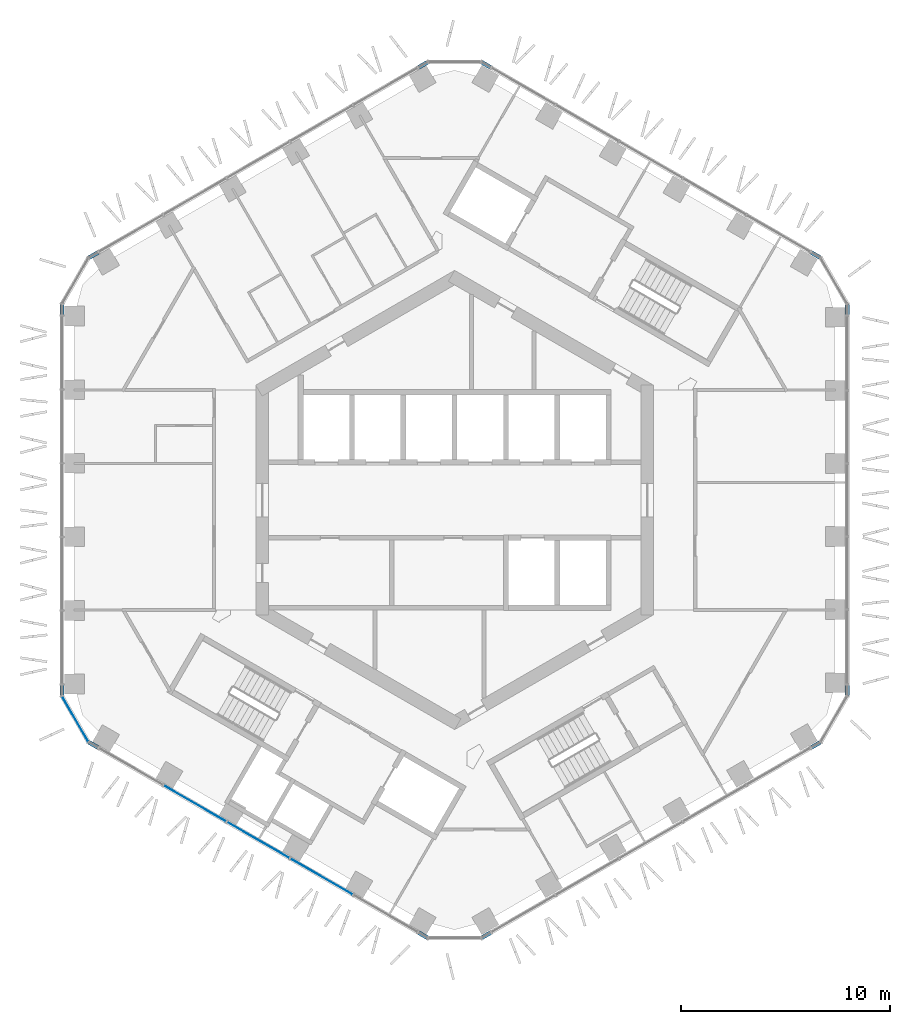
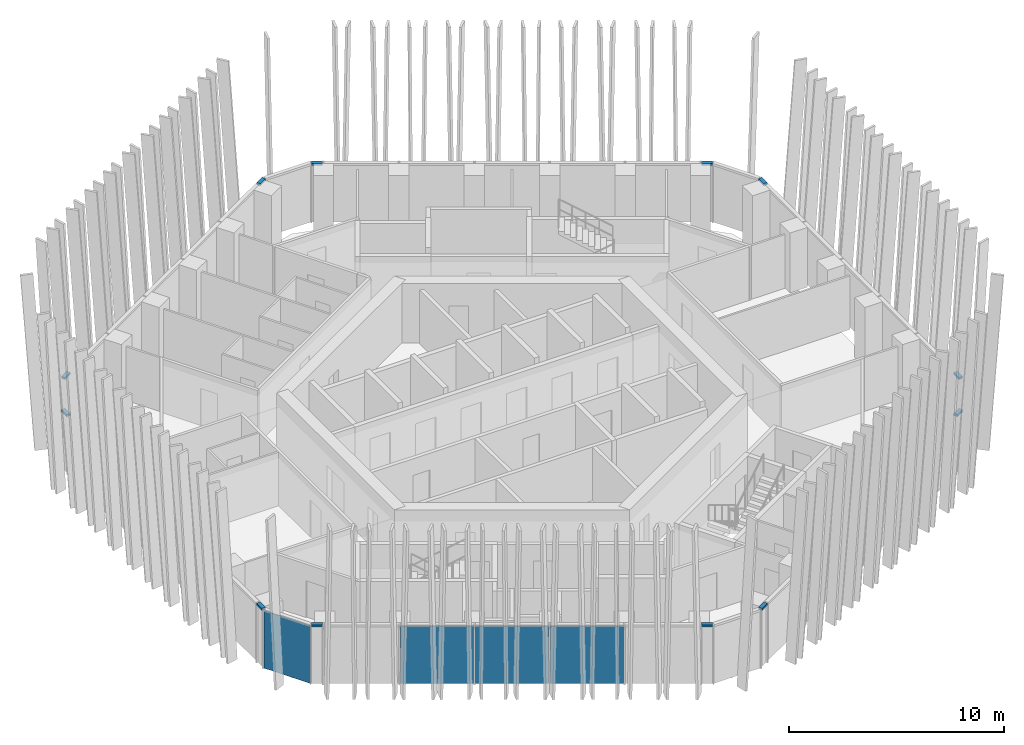
# One storey, part 8 of 21: 12 members, 4 plates, 7 elements without a shape of their own.
"""IFC4 building model written with IfcOpenShell, lengths in metres."""

from ifc_helpers import new_model, si_unit, direction, frame, origin, origin_2d, place, context, subcontext, project, spatial, rectangle, extrude, material, layer, layer_set, material_profile, profile_set, type_object, element, aggregate, save


model = new_model("IFC4")

# Units and contexts
model_context = context("Model", 3, precision=1e-05, world=origin(), true_north=direction((0.0, 1.0)))
body_context = subcontext(model_context, "Body", "Model", "MODEL_VIEW")
ifc_project = project(units=[si_unit("LENGTHUNIT", "METRE"), si_unit("AREAUNIT", "SQUARE_METRE"), si_unit("VOLUMEUNIT", "CUBIC_METRE"), si_unit("PLANEANGLEUNIT", "RADIAN"), si_unit("MASSUNIT", "GRAM", prefix="KILO")], contexts=[model_context])

# Site, building, storey
site_placement = place(None, origin())
site = spatial("IfcSite", under=ifc_project, at=site_placement, CompositionType="ELEMENT")
building_placement = place(site_placement, origin())
building = spatial("IfcBuilding", under=site, at=building_placement, Name="Ayvan Gate Tower", CompositionType="ELEMENT")
storey_placement = place(building_placement, frame((0.0, 0.0, 152.699951171875)))
storey = spatial("IfcBuildingStorey", under=building, at=storey_placement, Name="L40", CompositionType="ELEMENT", Elevation=152.699951171875)

# Curtain wall, members
ifc_material_1 = material(Name="Bronze anodised aluminium", Category="aluminium")
ifc_layer_1 = layer(ifc_material_1, 0.199951171875)
ifc_layer_set_1 = layer_set([ifc_layer_1], Name="Bronze anodised aluminium")
curtain_wall_type_1 = type_object("IfcCurtainWallType", Name="Stick curtain wall CW-6", PredefinedType="NOTDEFINED", material=ifc_layer_set_1)
curtain_wall_1_placement = place(storey_placement, origin())
curtain_wall_1 = element("IfcCurtainWall", 1, at=curtain_wall_1_placement, inside=storey, type_object=curtain_wall_type_1, Name="Stick curtain wall CW-6 L40", PredefinedType="NOTDEFINED")
ifc_material_profile = material_profile(ifc_material_1, rectangle(XDim=0.199951171875, YDim=0.1201171875, at=origin_2d()), Name="Stick curtain wall CW-6 transom 200 x 120")
ifc_profile_set = profile_set([ifc_material_profile], Name="Bronze anodised aluminium")
member_type = type_object("IfcMemberType", Name="Stick curtain wall CW-6 transom 200 x 120", PredefinedType="USERDEFINED", material=ifc_profile_set)
member_1_placement = place(storey_placement, frame((-17.03955078125, 11.826171875, 3.340087890625), z_axis=(-0.866071776036, -0.499919672301, 0.0), x_axis=(0.499919672301, -0.866071776036, 0.0)))
member_1 = element("IfcMember", 2, at=member_1_placement, type_object=member_type, Name="CW-6 transom 1", ObjectType="TRANSOM", PredefinedType="USERDEFINED", context=body_context, shape_type="SweptSolid", body=[
    extrude(rectangle(XDim=0.199951171875, YDim=0.1201171875, at=origin_2d()), origin(), (0.0, 0.0, 1.0), 0.5),
])
member_2_placement = place(storey_placement, frame((-18.761474609375, 9.34375, 3.340087890625), z_axis=(0.0, -1.0, 0.0), x_axis=(1.0, 0.0, 0.0)))
member_2 = element("IfcMember", 3, at=member_2_placement, type_object=member_type, Name="CW-6 transom 3", ObjectType="TRANSOM", PredefinedType="USERDEFINED", context=body_context, shape_type="SweptSolid", body=[
    extrude(rectangle(XDim=0.199951171875, YDim=0.1201171875, at=origin_2d()), origin(), (0.0, 0.0, 1.0), 0.5),
])
aggregate(curtain_wall_1, [member_1, member_2])

curtain_wall_2_placement = place(storey_placement, origin())
curtain_wall_2 = element("IfcCurtainWall", 4, at=curtain_wall_2_placement, inside=storey, type_object=curtain_wall_type_1, Name="Stick curtain wall CW-6 L40", PredefinedType="NOTDEFINED")
member_3_placement = place(storey_placement, frame((-18.761474609375, -8.84375, 3.340087890625), z_axis=(0.0, -1.0, 0.0), x_axis=(1.0, 0.0, 0.0)))
member_3 = element("IfcMember", 5, at=member_3_placement, type_object=member_type, Name="CW-6 transom 1", ObjectType="TRANSOM", PredefinedType="USERDEFINED", context=body_context, shape_type="SweptSolid", body=[
    extrude(rectangle(XDim=0.199951171875, YDim=0.1201171875, at=origin_2d()), origin(), (0.0, 0.0, 1.0), 0.5),
])
member_4_placement = place(storey_placement, frame((-17.47265625, -11.576171875, 3.340087890625), z_axis=(0.866071776036, -0.499919672301, 0.0), x_axis=(0.499919672301, 0.866071776036, 0.0)))
member_4 = element("IfcMember", 6, at=member_4_placement, type_object=member_type, Name="CW-6 transom 3", ObjectType="TRANSOM", PredefinedType="USERDEFINED", context=body_context, shape_type="SweptSolid", body=[
    extrude(rectangle(XDim=0.199951171875, YDim=0.1201171875, at=origin_2d()), origin(), (0.0, 0.0, 1.0), 0.5),
])

curtain_wall_3_placement = place(storey_placement, origin())
curtain_wall_3 = element("IfcCurtainWall", 7, at=curtain_wall_3_placement, inside=storey, type_object=curtain_wall_type_1, Name="Stick curtain wall CW-6 L40", PredefinedType="NOTDEFINED")
member_5_placement = place(storey_placement, frame((-1.721923828125, -20.669677734375, 3.340087890625), z_axis=(0.866071776036, -0.499919672301, 0.0), x_axis=(0.499919672301, 0.866071776036, 0.0)))
member_5 = element("IfcMember", 8, at=member_5_placement, type_object=member_type, Name="CW-6 transom 1", ObjectType="TRANSOM", PredefinedType="USERDEFINED", context=body_context, shape_type="SweptSolid", body=[
    extrude(rectangle(XDim=0.199951171875, YDim=0.1201171875, at=origin_2d()), origin(), (0.0, 0.0, 1.0), 0.5),
])
member_6_placement = place(storey_placement, frame((1.288818359375, -20.919677734375, 3.340087890625), z_axis=(0.866071776036, 0.499919672301, 0.0), x_axis=(-0.499919672301, 0.866071776036, 0.0)))
member_6 = element("IfcMember", 9, at=member_6_placement, type_object=member_type, Name="CW-6 transom 3", ObjectType="TRANSOM", PredefinedType="USERDEFINED", context=body_context, shape_type="SweptSolid", body=[
    extrude(rectangle(XDim=0.199951171875, YDim=0.1201171875, at=origin_2d()), origin(), (0.0, 0.0, 1.0), 0.5),
])
aggregate(curtain_wall_3, [member_5, member_6])

curtain_wall_4_placement = place(storey_placement, origin())
curtain_wall_4 = element("IfcCurtainWall", 10, at=curtain_wall_4_placement, inside=storey, type_object=curtain_wall_type_1, Name="Stick curtain wall CW-6 L40", PredefinedType="NOTDEFINED")
member_7_placement = place(storey_placement, frame((17.03955078125, -11.826171875, 3.340087890625), z_axis=(0.866071776036, 0.499919672301, 0.0), x_axis=(-0.499919672301, 0.866071776036, 0.0)))
member_7 = element("IfcMember", 11, at=member_7_placement, type_object=member_type, Name="CW-6 transom 1", ObjectType="TRANSOM", PredefinedType="USERDEFINED", context=body_context, shape_type="SweptSolid", body=[
    extrude(rectangle(XDim=0.199951171875, YDim=0.1201171875, at=origin_2d()), origin(), (0.0, 0.0, 1.0), 0.5),
])
member_8_placement = place(storey_placement, frame((18.761474609375, -9.34375, 3.340087890625), z_axis=(0.0, 1.0, 0.0), x_axis=(-1.0, 0.0, 0.0)))
member_8 = element("IfcMember", 12, at=member_8_placement, type_object=member_type, Name="CW-6 transom 3", ObjectType="TRANSOM", PredefinedType="USERDEFINED", context=body_context, shape_type="SweptSolid", body=[
    extrude(rectangle(XDim=0.199951171875, YDim=0.1201171875, at=origin_2d()), origin(), (0.0, 0.0, 1.0), 0.5),
])
aggregate(curtain_wall_4, [member_7, member_8])

curtain_wall_5_placement = place(storey_placement, origin())
curtain_wall_5 = element("IfcCurtainWall", 13, at=curtain_wall_5_placement, inside=storey, type_object=curtain_wall_type_1, Name="Stick curtain wall CW-6 L40", PredefinedType="NOTDEFINED")
member_9_placement = place(storey_placement, frame((18.761474609375, 8.84375, 3.340087890625), z_axis=(0.0, 1.0, 0.0), x_axis=(-1.0, 0.0, 0.0)))
member_9 = element("IfcMember", 14, at=member_9_placement, type_object=member_type, Name="CW-6 transom 1", ObjectType="TRANSOM", PredefinedType="USERDEFINED", context=body_context, shape_type="SweptSolid", body=[
    extrude(rectangle(XDim=0.199951171875, YDim=0.1201171875, at=origin_2d()), origin(), (0.0, 0.0, 1.0), 0.5),
])
member_10_placement = place(storey_placement, frame((17.47265625, 11.576171875, 3.340087890625), z_axis=(-0.866071776036, 0.499919672301, 0.0), x_axis=(-0.499919672301, -0.866071776036, 0.0)))
member_10 = element("IfcMember", 15, at=member_10_placement, type_object=member_type, Name="CW-6 transom 3", ObjectType="TRANSOM", PredefinedType="USERDEFINED", context=body_context, shape_type="SweptSolid", body=[
    extrude(rectangle(XDim=0.199951171875, YDim=0.1201171875, at=origin_2d()), origin(), (0.0, 0.0, 1.0), 0.5),
])
aggregate(curtain_wall_5, [member_9, member_10])

curtain_wall_6_placement = place(storey_placement, origin())
curtain_wall_6 = element("IfcCurtainWall", 16, at=curtain_wall_6_placement, inside=storey, type_object=curtain_wall_type_1, Name="Stick curtain wall CW-6 L40", PredefinedType="NOTDEFINED")
member_11_placement = place(storey_placement, frame((1.721923828125, 20.669677734375, 3.340087890625), z_axis=(-0.866071776036, 0.499919672301, 0.0), x_axis=(-0.499919672301, -0.866071776036, 0.0)))
member_11 = element("IfcMember", 17, at=member_11_placement, type_object=member_type, Name="CW-6 transom 1", ObjectType="TRANSOM", PredefinedType="USERDEFINED", context=body_context, shape_type="SweptSolid", body=[
    extrude(rectangle(XDim=0.199951171875, YDim=0.1201171875, at=origin_2d()), origin(), (0.0, 0.0, 1.0), 0.5),
])
member_12_placement = place(storey_placement, frame((-1.288818359375, 20.919677734375, 3.340087890625), z_axis=(-0.866071776036, -0.499919672301, 0.0), x_axis=(0.499919672301, -0.866071776036, 0.0)))
member_12 = element("IfcMember", 18, at=member_12_placement, type_object=member_type, Name="CW-6 transom 3", ObjectType="TRANSOM", PredefinedType="USERDEFINED", context=body_context, shape_type="SweptSolid", body=[
    extrude(rectangle(XDim=0.199951171875, YDim=0.1201171875, at=origin_2d()), origin(), (0.0, 0.0, 1.0), 0.5),
])
aggregate(curtain_wall_6, [member_11, member_12])

# Curtain wall, plates
ifc_layer_2 = layer(ifc_material_1, 0.199951171875)
ifc_layer_set_2 = layer_set([ifc_layer_2], Name="Bronze anodised aluminium")
curtain_wall_type_2 = type_object("IfcCurtainWallType", Name="Stick curtain wall CW-2", PredefinedType="NOTDEFINED", material=ifc_layer_set_2)
curtain_wall_7_placement = place(storey_placement, origin())
curtain_wall_7 = element("IfcCurtainWall", 19, at=curtain_wall_7_placement, inside=storey, type_object=curtain_wall_type_2, Name="Stick curtain wall CW-2 L40", PredefinedType="NOTDEFINED")
ifc_material_2 = material(Name="Clear low-iron laminated glass", Category="glass")
ifc_layer_3 = layer(ifc_material_2, 0.028076171875)
ifc_layer_set_3 = layer_set([ifc_layer_3], Name="Clear low-iron laminated glass")
plate_type_1 = type_object("IfcPlateType", Name="Stick curtain wall CW-2 glass panel", PredefinedType="CURTAIN_PANEL", material=ifc_layer_set_3)
plate_1_placement = place(storey_placement, frame((-12.40625, -14.501220703125, 0.0), z_axis=(0.0, 0.0, 1.0), x_axis=(0.866025403784, -0.5, 0.0)))
plate_1 = element("IfcPlate", 20, at=plate_1_placement, type_object=plate_type_1, Name="CW-2 glass panel 2", PredefinedType="CURTAIN_PANEL", context=body_context, shape_type="SweptSolid", body=[
    extrude(rectangle(XDim=3.424072265625, YDim=0.028076171875, at=origin_2d()), origin(), (0.0, 0.0, 1.0), 3.280029296875),
])
plate_2_placement = place(storey_placement, frame((-9.380859375, -16.247802734375, 0.0), z_axis=(0.0, 0.0, 1.0), x_axis=(0.866025403784, -0.5, 0.0)))
plate_2 = element("IfcPlate", 21, at=plate_2_placement, type_object=plate_type_1, Name="CW-2 glass panel 3", PredefinedType="CURTAIN_PANEL", context=body_context, shape_type="SweptSolid", body=[
    extrude(rectangle(XDim=3.423095703125, YDim=0.028076171875, at=origin_2d()), origin(), (0.0, 0.0, 1.0), 3.280029296875),
])
plate_3_placement = place(storey_placement, frame((-6.35546875, -17.99462890625, 0.0), z_axis=(0.0, 0.0, 1.0), x_axis=(0.866025403784, -0.5, 0.0)))
plate_3 = element("IfcPlate", 22, at=plate_3_placement, type_object=plate_type_1, Name="CW-2 glass panel 4", PredefinedType="CURTAIN_PANEL", context=body_context, shape_type="SweptSolid", body=[
    extrude(rectangle(XDim=3.424072265625, YDim=0.028076171875, at=origin_2d()), origin(), (0.0, 0.0, 1.0), 3.280029296875),
])
aggregate(curtain_wall_7, [plate_1, plate_2, plate_3])

# Plate
ifc_layer_4 = layer(ifc_material_2, 0.028076171875)
ifc_layer_set_4 = layer_set([ifc_layer_4], Name="Clear low-iron laminated glass")
plate_type_2 = type_object("IfcPlateType", Name="Stick curtain wall CW-6 glass panel", PredefinedType="CURTAIN_PANEL", material=ifc_layer_set_4)
plate_4_placement = place(storey_placement, frame((-18.1279296875, -10.466064453125, 0.0), z_axis=(0.0, 0.0, 1.0), x_axis=(0.5, -0.866025403784, 0.0)))
plate_4 = element("IfcPlate", 23, at=plate_4_placement, type_object=plate_type_2, Name="CW-6 glass panel 2", PredefinedType="CURTAIN_PANEL", context=body_context, shape_type="SweptSolid", body=[
    extrude(rectangle(XDim=2.484619140625, YDim=0.028076171875, at=origin_2d()), origin(), (0.0, 0.0, 1.0), 3.280029296875),
])

aggregate(curtain_wall_2, [member_3, member_4, plate_4])

save(model, "model.ifc")
